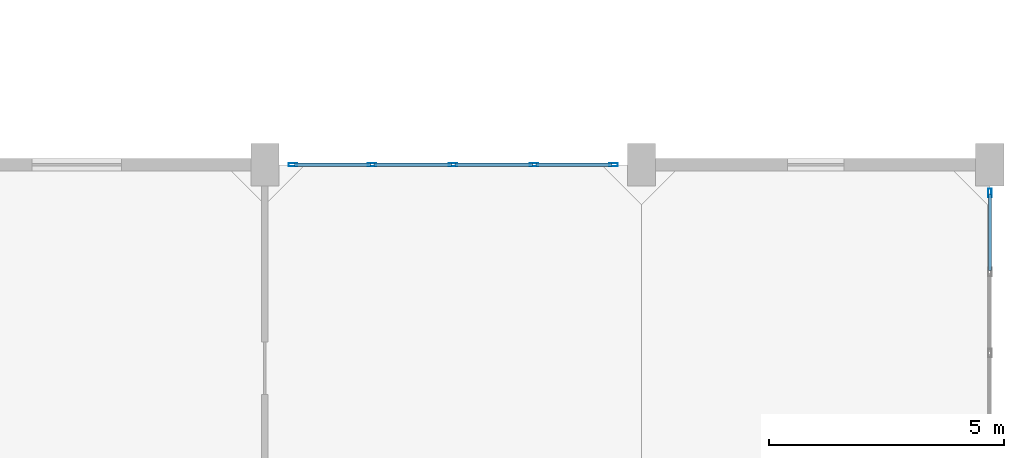
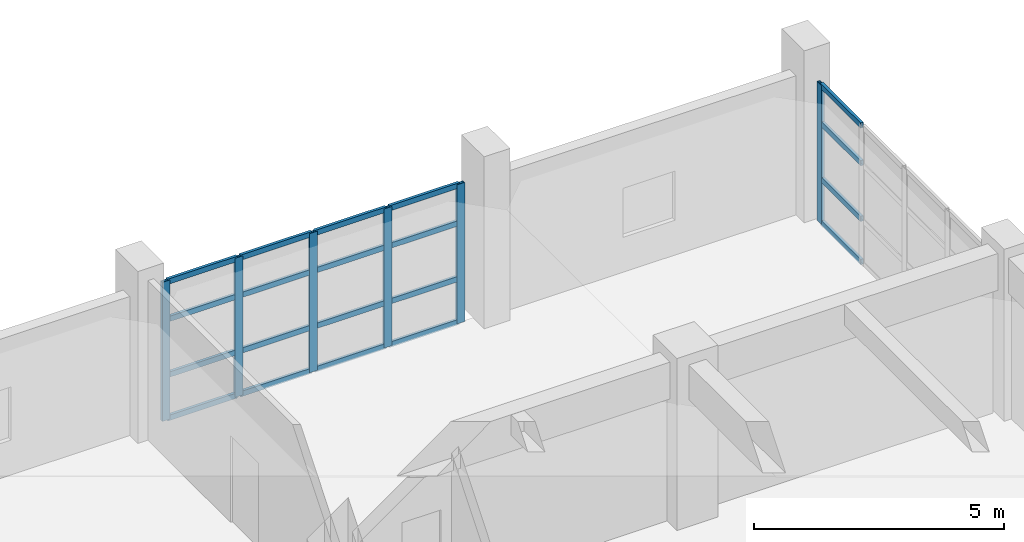
# One storey, part 20 of 35: 26 members, 2 elements without a shape of their own.
"""IFC4 building model written with IfcOpenShell, lengths in metres."""

import ifcopenshell
import ifcopenshell.guid

model = None  # the IFC model being written
_history = None  # IfcOwnerHistory: only IFC2X3 demands one
_inside = {}  # id of a spatial element -> (the spatial element, [elements in it])
_under = {}  # id of a project, library or spatial element -> (it, [spatial elements below it])
_declared = {}  # id of a project -> (the project, [libraries it declares])
_typed = {}  # id of a type object -> (the type object, [elements of that type])
_made_of = {}  # id of a material, layer set ... -> (it, [elements and type objects made of it])


def new_model(schema):
    """Start an empty IFC model of exactly this schema.

    Asked for "IFC4X3", IfcOpenShell would pick the latest addendum, in which some entities
    have other attributes; the version numbers below select the first issue.
    IFC2X3 requires an IfcOwnerHistory on every rooted entity: one is made here for all.
    """
    global model, _history
    if schema == "IFC4X3":
        model = ifcopenshell.file(schema_version=(4, 3, 0, 0))
    else:
        model = ifcopenshell.file(schema=schema)
    _inside.clear()
    _under.clear()
    _declared.clear()
    _typed.clear()
    _made_of.clear()
    _history = None
    if model.schema == "IFC2X3":
        org = make("IfcOrganization", Name="unknown")
        user = make(
            "IfcPersonAndOrganization",
            ThePerson=make("IfcPerson", FamilyName="unknown"),
            TheOrganization=org,
        )
        app = make(
            "IfcApplication",
            ApplicationDeveloper=org,
            Version="unknown",
            ApplicationFullName="unknown",
            ApplicationIdentifier="unknown",
        )
        _history = make(
            "IfcOwnerHistory",
            OwningUser=user,
            OwningApplication=app,
            ChangeAction="ADDED",
            CreationDate=0,
        )
    return model


def make(cls, **values):
    """One entity of the class cls with the attributes given. An attribute that is None is left unset."""
    return model.create_entity(
        cls, **{name: value for name, value in values.items() if value is not None}
    )


def rooted(cls, **values):
    """An entity with a GlobalId (a new one), such as an element, a storey or a relation."""
    return make(cls, GlobalId=ifcopenshell.guid.new(), OwnerHistory=_history, **values)


def si_unit(unit_type, name, prefix=None):
    """IfcSIUnit, for example si_unit("LENGTHUNIT", "METRE", prefix="MILLI")."""
    return make("IfcSIUnit", UnitType=unit_type, Prefix=prefix, Name=name)


def assignment(units):
    """IfcUnitAssignment: the units of a project."""
    return None if units is None else make("IfcUnitAssignment", Units=units)


def point(xyz):
    """IfcCartesianPoint."""
    return None if xyz is None else make("IfcCartesianPoint", Coordinates=xyz)


def direction(xyz):
    """IfcDirection."""
    return None if xyz is None else make("IfcDirection", DirectionRatios=xyz)


def frame(location, z_axis=None, x_axis=None):
    """IfcAxis2Placement3D, a coordinate frame: its origin and axes. An axis left out is left unset."""
    return make(
        "IfcAxis2Placement3D",
        Location=point(location),
        Axis=direction(z_axis),
        RefDirection=direction(x_axis),
    )


def frame_2d(location, x_axis=None):
    """IfcAxis2Placement2D, a coordinate frame in the plane: its origin and x axis."""
    return make(
        "IfcAxis2Placement2D", Location=point(location), RefDirection=direction(x_axis)
    )


def origin():
    """The frame at (0, 0, 0) with its axes left unset."""
    return frame((0.0, 0.0, 0.0))


def origin_2d():
    """The frame at (0, 0) in the plane with its x axis left unset."""
    return frame_2d((0.0, 0.0))


def place(relative_to, where):
    """IfcLocalPlacement: puts the frame where relative to a parent placement (None: the world)."""
    return make(
        "IfcLocalPlacement", PlacementRelTo=relative_to, RelativePlacement=where
    )


def context(
    kind, dimensions, precision=None, world=None, true_north=None, identifier=None
):
    """IfcGeometricRepresentationContext, for example the 3D "Model" context."""
    return make(
        "IfcGeometricRepresentationContext",
        ContextIdentifier=identifier,
        ContextType=kind,
        CoordinateSpaceDimension=dimensions,
        Precision=precision,
        WorldCoordinateSystem=world,
        TrueNorth=true_north,
    )


def subcontext(parent, identifier, kind, view, scale=None):
    """IfcGeometricRepresentationSubContext, for example "Body" below "Model"."""
    return make(
        "IfcGeometricRepresentationSubContext",
        ContextIdentifier=identifier,
        ContextType=kind,
        ParentContext=parent,
        TargetScale=scale,
        TargetView=view,
    )


def project(units=None, contexts=None):
    """IfcProject with its units and contexts."""
    return rooted(
        "IfcProject",
        Name="project",
        RepresentationContexts=contexts,
        UnitsInContext=assignment(units),
    )


def spatial(cls, under=None, at=None, **own):
    """A site, building, storey or space (cls), placed at a placement, below another one or the project."""
    s = rooted(cls, ObjectPlacement=at, **own)
    if under is not None:
        _under.setdefault(under.id(), (under, []))[1].append(s)
    return s


def profile(cls, at=None, kind="AREA", **sizes):
    """A parametric profile (cls). Its sizes go by their IFC names, for example OverallWidth=200.0."""
    return make(cls, ProfileType=kind, Position=at, **sizes)


def hollow_rectangle(**sizes):
    """IfcRectangleHollowProfileDef."""
    return profile("IfcRectangleHollowProfileDef", **sizes)


def extrude(swept, where, along, depth):
    """IfcExtrudedAreaSolid: the profile swept, set in the frame where, extruded along a direction by depth."""
    return make(
        "IfcExtrudedAreaSolid",
        SweptArea=swept,
        Position=where,
        ExtrudedDirection=direction(along),
        Depth=depth,
    )


def shape(context_of_items, identifier, shape_type, items):
    """IfcShapeRepresentation: the items that make up one representation, for example the "Body"."""
    return make(
        "IfcShapeRepresentation",
        ContextOfItems=context_of_items,
        RepresentationIdentifier=identifier,
        RepresentationType=shape_type,
        Items=items,
    )


def material(Name=None, Category=None):
    """IfcMaterial."""
    return make("IfcMaterial", Name=Name, Category=Category)


def layer(
    of_material, thickness, ventilated=None, Name=None, Category=None, Priority=None
):
    """IfcMaterialLayer: one layer of a wall or slab, of a material (None: an air gap)."""
    return make(
        "IfcMaterialLayer",
        Material=of_material,
        LayerThickness=thickness,
        IsVentilated=ventilated,
        Name=Name,
        Category=Category,
        Priority=Priority,
    )


def layer_set(layers, Name=None):
    """IfcMaterialLayerSet."""
    return make("IfcMaterialLayerSet", MaterialLayers=layers, LayerSetName=Name)


def material_profile(
    of_material, cross_section, Name=None, Category=None, Priority=None
):
    """IfcMaterialProfile: a cross section and its material."""
    return make(
        "IfcMaterialProfile",
        Name=Name,
        Material=of_material,
        Profile=cross_section,
        Priority=Priority,
        Category=Category,
    )


def profile_set(profiles, Name=None, composite=None):
    """IfcMaterialProfileSet."""
    return make(
        "IfcMaterialProfileSet",
        Name=Name,
        MaterialProfiles=profiles,
        CompositeProfile=composite,
    )


def made_of(thing, what):
    """Note that an element or type object is made of a material, layer set ...; save() writes the relation."""
    if what is not None:
        _made_of.setdefault(what.id(), (what, []))[1].append(thing)
    return thing


def type_object(cls, material=None, **own):
    """A type object (cls), such as IfcWallType, which elements share."""
    return made_of(rooted(cls, **own), material)


def element(
    cls,
    number,
    at=None,
    inside=None,
    cuts=None,
    type_object=None,
    material=None,
    context=None,
    identifier="Body",
    shape_type=None,
    held_by="IfcProductDefinitionShape",
    body=None,
    shapes=None,
    **own,
):
    """One element of the class cls, such as IfcWall. Its Tag is "e" and its number.

    at: its placement. inside: the storey or other place that contains it. cuts: it is an
    opening in that element (IfcRelVoidsElement). A single representation is given by context,
    identifier, shape_type and body (its items); several are given by shapes. held_by: the class
    of the entity that holds the representations. save() writes the other relations.
    """
    e = rooted(cls, Tag="e%d" % number, ObjectPlacement=at, **own)
    if body is not None:
        shapes = [shape(context, identifier, shape_type, body)]
    if shapes is not None:
        e.Representation = make(held_by, Representations=shapes)
    if inside is not None:
        _inside.setdefault(inside.id(), (inside, []))[1].append(e)
    if cuts is not None:
        rooted(
            "IfcRelVoidsElement", RelatingBuildingElement=cuts, RelatedOpeningElement=e
        )
    if type_object is not None:
        _typed.setdefault(type_object.id(), (type_object, []))[1].append(e)
    return made_of(e, material)


def aggregate(whole, parts):
    """IfcRelAggregates: a whole, such as a stair, and the parts it consists of."""
    return rooted("IfcRelAggregates", RelatingObject=whole, RelatedObjects=parts)


def save(model, path):
    """Write the relations noted so far, then the file.

    IfcRelAggregates (storeys below a building ...), IfcRelContainedInSpatialStructure (elements
    in a storey), IfcRelDefinesByType, IfcRelAssociatesMaterial and IfcRelDeclares: one each for
    every whole, place, type object, material and project.
    """
    for whole, parts in _under.values():
        aggregate(whole, parts)
    for where, things in _inside.values():
        rooted(
            "IfcRelContainedInSpatialStructure",
            RelatedElements=things,
            RelatingStructure=where,
        )
    for kind, things in _typed.values():
        rooted("IfcRelDefinesByType", RelatedObjects=things, RelatingType=kind)
    for what, things in _made_of.values():
        rooted("IfcRelAssociatesMaterial", RelatedObjects=things, RelatingMaterial=what)
    for by, libraries in _declared.values():
        rooted("IfcRelDeclares", RelatingContext=by, RelatedDefinitions=libraries)
    model.write(path)


model = new_model("IFC4")

# Units and contexts
model_context = context("Model", 3, precision=1e-05, world=origin(), true_north=direction((0.0, 1.0)))
body_context = subcontext(model_context, "Body", "Model", "MODEL_VIEW")
ifc_project = project(units=[si_unit("LENGTHUNIT", "METRE"), si_unit("AREAUNIT", "SQUARE_METRE"), si_unit("VOLUMEUNIT", "CUBIC_METRE"), si_unit("PLANEANGLEUNIT", "RADIAN"), si_unit("MASSUNIT", "GRAM", prefix="KILO")], contexts=[model_context])

# Site, building, storey
site_placement = place(None, origin())
site = spatial("IfcSite", under=ifc_project, at=site_placement, CompositionType="ELEMENT")
building_placement = place(site_placement, origin())
building = spatial("IfcBuilding", under=site, at=building_placement, Name="Canggui Botanical Conservatory", CompositionType="ELEMENT")
storey_placement = place(building_placement, frame((0.0, 0.0, 15.0)))
storey = spatial("IfcBuildingStorey", under=building, at=storey_placement, Name="L04", CompositionType="ELEMENT", Elevation=15.0)

# Curtain wall, members
ifc_material = material(Name="Thermally Broken Aluminium", Category="aluminium")
ifc_layer = layer(ifc_material, 0.179931640625, Name="Thermally Broken Aluminium", Category="aluminium")
ifc_layer_set = layer_set([ifc_layer], Name="Thermally Broken Aluminium")
curtain_wall_type = type_object("IfcCurtainWallType", Name="CW-UNIT-A", PredefinedType="USERDEFINED", material=ifc_layer_set)
curtain_wall_1_placement = place(storey_placement, origin())
curtain_wall_1 = element("IfcCurtainWall", 1, at=curtain_wall_1_placement, inside=storey, type_object=curtain_wall_type, Name="Facade Curtain Wall CW-TWR-L04-16", ObjectType="UNITISED CURTAIN WALL", PredefinedType="USERDEFINED")
ifc_material_profile_1 = material_profile(ifc_material, hollow_rectangle(XDim=0.070068359375, YDim=0.179931640625, WallThickness=0.00390625, at=origin_2d()), Name="CWM 70x180x4")
ifc_profile_set_1 = profile_set([ifc_material_profile_1], Name="Thermally Broken Aluminium")
member_type_1 = type_object("IfcMemberType", Name="CWM-01", PredefinedType="MULLION", material=ifc_profile_set_1)
member_1_placement = place(storey_placement, frame((162.594970703125, 82.0, 0.0), z_axis=(0.0, 0.0, 1.0), x_axis=(0.0, 1.0, 0.0)))
member_1 = element("IfcMember", 2, at=member_1_placement, type_object=member_type_1, Name="CW-01 mullion 1", PredefinedType="MULLION", context=body_context, shape_type="SweptSolid", body=[
    extrude(hollow_rectangle(XDim=0.070068359375, YDim=0.179931640625, WallThickness=0.00390625, at=origin_2d()), origin(), (0.0, 0.0, 1.0), 3.39990234375),
])
member_2_placement = place(storey_placement, frame((164.280029296875, 82.0, 0.0), z_axis=(0.0, 0.0, 1.0), x_axis=(0.0, 1.0, 0.0)))
member_2 = element("IfcMember", 3, at=member_2_placement, type_object=member_type_1, Name="CW-01 mullion 2", PredefinedType="MULLION", context=body_context, shape_type="SweptSolid", body=[
    extrude(hollow_rectangle(XDim=0.070068359375, YDim=0.179931640625, WallThickness=0.00390625, at=origin_2d()), origin(), (0.0, 0.0, 1.0), 3.39990234375),
])
member_3_placement = place(storey_placement, frame((166.0, 82.0, 0.0), z_axis=(0.0, 0.0, 1.0), x_axis=(0.0, 1.0, 0.0)))
member_3 = element("IfcMember", 4, at=member_3_placement, type_object=member_type_1, Name="CW-01 mullion 3", PredefinedType="MULLION", context=body_context, shape_type="SweptSolid", body=[
    extrude(hollow_rectangle(XDim=0.070068359375, YDim=0.179931640625, WallThickness=0.00390625, at=origin_2d()), origin(), (0.0, 0.0, 1.0), 3.39990234375),
])
member_4_placement = place(storey_placement, frame((167.719970703125, 82.0, 0.0), z_axis=(0.0, 0.0, 1.0), x_axis=(0.0, 1.0, 0.0)))
member_4 = element("IfcMember", 5, at=member_4_placement, type_object=member_type_1, Name="CW-01 mullion 4", PredefinedType="MULLION", context=body_context, shape_type="SweptSolid", body=[
    extrude(hollow_rectangle(XDim=0.070068359375, YDim=0.179931640625, WallThickness=0.00390625, at=origin_2d()), origin(), (0.0, 0.0, 1.0), 3.39990234375),
])
member_5_placement = place(storey_placement, frame((169.405029296875, 82.0, 0.0), z_axis=(0.0, 0.0, 1.0), x_axis=(0.0, 1.0, 0.0)))
member_5 = element("IfcMember", 6, at=member_5_placement, type_object=member_type_1, Name="CW-01 mullion 5", PredefinedType="MULLION", context=body_context, shape_type="SweptSolid", body=[
    extrude(hollow_rectangle(XDim=0.070068359375, YDim=0.179931640625, WallThickness=0.00390625, at=origin_2d()), origin(), (0.0, 0.0, 1.0), 3.39990234375),
])

# Curtain wall, member
curtain_wall_2_placement = place(storey_placement, origin())
curtain_wall_2 = element("IfcCurtainWall", 7, at=curtain_wall_2_placement, inside=storey, type_object=curtain_wall_type, Name="Facade Curtain Wall CW-TWR-L04-18", ObjectType="UNITISED CURTAIN WALL", PredefinedType="USERDEFINED")
member_6_placement = place(storey_placement, frame((177.39990234375, 81.405029296875, 0.0), z_axis=(0.0, 0.0, 1.0), x_axis=(1.0, 0.0, 0.0)))
member_6 = element("IfcMember", 8, at=member_6_placement, type_object=member_type_1, Name="CW-01 mullion 1", PredefinedType="MULLION", context=body_context, shape_type="SweptSolid", body=[
    extrude(hollow_rectangle(XDim=0.070068359375, YDim=0.179931640625, WallThickness=0.00390625, at=origin_2d()), origin(), (0.0, 0.0, 1.0), 3.39990234375),
])

# Member
ifc_material_profile_2 = material_profile(ifc_material, hollow_rectangle(XDim=0.06494140625, YDim=0.1298828125, WallThickness=0.00341796875, at=origin_2d()), Name="CWT 65x130x3.5")
ifc_profile_set_2 = profile_set([ifc_material_profile_2], Name="Thermally Broken Aluminium")
member_type_2 = type_object("IfcMemberType", Name="CWT-01", PredefinedType="USERDEFINED", material=ifc_profile_set_2)
member_7_placement = place(storey_placement, frame((162.6298828125, 82.0, 0.032470703125), z_axis=(1.0, 0.0, 0.0), x_axis=(0.0, 1.0, 0.0)))
member_7 = element("IfcMember", 9, at=member_7_placement, type_object=member_type_2, Name="CW-01 transom 1.1", ObjectType="TRANSOM", PredefinedType="USERDEFINED", context=body_context, shape_type="SweptSolid", body=[
    extrude(hollow_rectangle(XDim=0.06494140625, YDim=0.1298828125, WallThickness=0.00341796875, at=origin_2d()), origin(), (0.0, 0.0, 1.0), 1.615234375),
])

member_8_placement = place(storey_placement, frame((162.6298828125, 82.0, 1.087890625), z_axis=(1.0, 0.0, 0.0), x_axis=(0.0, 1.0, 0.0)))
member_8 = element("IfcMember", 10, at=member_8_placement, type_object=member_type_2, Name="CW-01 transom 1.2", ObjectType="TRANSOM", PredefinedType="USERDEFINED", context=body_context, shape_type="SweptSolid", body=[
    extrude(hollow_rectangle(XDim=0.06494140625, YDim=0.1298828125, WallThickness=0.00341796875, at=origin_2d()), origin(), (0.0, 0.0, 1.0), 1.615234375),
])

member_9_placement = place(storey_placement, frame((162.6298828125, 82.0, 2.447998046875), z_axis=(1.0, 0.0, 0.0), x_axis=(0.0, 1.0, 0.0)))
member_9 = element("IfcMember", 11, at=member_9_placement, type_object=member_type_2, Name="CW-01 transom 1.3", ObjectType="TRANSOM", PredefinedType="USERDEFINED", context=body_context, shape_type="SweptSolid", body=[
    extrude(hollow_rectangle(XDim=0.06494140625, YDim=0.1298828125, WallThickness=0.00341796875, at=origin_2d()), origin(), (0.0, 0.0, 1.0), 1.615234375),
])

member_10_placement = place(storey_placement, frame((162.6298828125, 82.0, 3.367431640625), z_axis=(1.0, 0.0, 0.0), x_axis=(0.0, 1.0, 0.0)))
member_10 = element("IfcMember", 12, at=member_10_placement, type_object=member_type_2, Name="CW-01 transom 1.4", ObjectType="TRANSOM", PredefinedType="USERDEFINED", context=body_context, shape_type="SweptSolid", body=[
    extrude(hollow_rectangle(XDim=0.06494140625, YDim=0.1298828125, WallThickness=0.00341796875, at=origin_2d()), origin(), (0.0, 0.0, 1.0), 1.615234375),
])

member_11_placement = place(storey_placement, frame((164.31494140625, 82.0, 0.032470703125), z_axis=(1.0, 0.0, 0.0), x_axis=(0.0, 1.0, 0.0)))
member_11 = element("IfcMember", 13, at=member_11_placement, type_object=member_type_2, Name="CW-01 transom 2.1", ObjectType="TRANSOM", PredefinedType="USERDEFINED", context=body_context, shape_type="SweptSolid", body=[
    extrude(hollow_rectangle(XDim=0.06494140625, YDim=0.1298828125, WallThickness=0.00341796875, at=origin_2d()), origin(), (0.0, 0.0, 1.0), 1.650146484375),
])

member_12_placement = place(storey_placement, frame((164.31494140625, 82.0, 1.087890625), z_axis=(1.0, 0.0, 0.0), x_axis=(0.0, 1.0, 0.0)))
member_12 = element("IfcMember", 14, at=member_12_placement, type_object=member_type_2, Name="CW-01 transom 2.2", ObjectType="TRANSOM", PredefinedType="USERDEFINED", context=body_context, shape_type="SweptSolid", body=[
    extrude(hollow_rectangle(XDim=0.06494140625, YDim=0.1298828125, WallThickness=0.00341796875, at=origin_2d()), origin(), (0.0, 0.0, 1.0), 1.650146484375),
])

member_13_placement = place(storey_placement, frame((164.31494140625, 82.0, 2.447998046875), z_axis=(1.0, 0.0, 0.0), x_axis=(0.0, 1.0, 0.0)))
member_13 = element("IfcMember", 15, at=member_13_placement, type_object=member_type_2, Name="CW-01 transom 2.3", ObjectType="TRANSOM", PredefinedType="USERDEFINED", context=body_context, shape_type="SweptSolid", body=[
    extrude(hollow_rectangle(XDim=0.06494140625, YDim=0.1298828125, WallThickness=0.00341796875, at=origin_2d()), origin(), (0.0, 0.0, 1.0), 1.650146484375),
])

member_14_placement = place(storey_placement, frame((164.31494140625, 82.0, 3.367431640625), z_axis=(1.0, 0.0, 0.0), x_axis=(0.0, 1.0, 0.0)))
member_14 = element("IfcMember", 16, at=member_14_placement, type_object=member_type_2, Name="CW-01 transom 2.4", ObjectType="TRANSOM", PredefinedType="USERDEFINED", context=body_context, shape_type="SweptSolid", body=[
    extrude(hollow_rectangle(XDim=0.06494140625, YDim=0.1298828125, WallThickness=0.00341796875, at=origin_2d()), origin(), (0.0, 0.0, 1.0), 1.650146484375),
])

member_15_placement = place(storey_placement, frame((166.034912109375, 82.0, 0.032470703125), z_axis=(1.0, 0.0, 0.0), x_axis=(0.0, 1.0, 0.0)))
member_15 = element("IfcMember", 17, at=member_15_placement, type_object=member_type_2, Name="CW-01 transom 3.1", ObjectType="TRANSOM", PredefinedType="USERDEFINED", context=body_context, shape_type="SweptSolid", body=[
    extrude(hollow_rectangle(XDim=0.06494140625, YDim=0.1298828125, WallThickness=0.00341796875, at=origin_2d()), origin(), (0.0, 0.0, 1.0), 1.650146484375),
])

member_16_placement = place(storey_placement, frame((166.034912109375, 82.0, 1.087890625), z_axis=(1.0, 0.0, 0.0), x_axis=(0.0, 1.0, 0.0)))
member_16 = element("IfcMember", 18, at=member_16_placement, type_object=member_type_2, Name="CW-01 transom 3.2", ObjectType="TRANSOM", PredefinedType="USERDEFINED", context=body_context, shape_type="SweptSolid", body=[
    extrude(hollow_rectangle(XDim=0.06494140625, YDim=0.1298828125, WallThickness=0.00341796875, at=origin_2d()), origin(), (0.0, 0.0, 1.0), 1.650146484375),
])

member_17_placement = place(storey_placement, frame((166.034912109375, 82.0, 2.447998046875), z_axis=(1.0, 0.0, 0.0), x_axis=(0.0, 1.0, 0.0)))
member_17 = element("IfcMember", 19, at=member_17_placement, type_object=member_type_2, Name="CW-01 transom 3.3", ObjectType="TRANSOM", PredefinedType="USERDEFINED", context=body_context, shape_type="SweptSolid", body=[
    extrude(hollow_rectangle(XDim=0.06494140625, YDim=0.1298828125, WallThickness=0.00341796875, at=origin_2d()), origin(), (0.0, 0.0, 1.0), 1.650146484375),
])

member_18_placement = place(storey_placement, frame((166.034912109375, 82.0, 3.367431640625), z_axis=(1.0, 0.0, 0.0), x_axis=(0.0, 1.0, 0.0)))
member_18 = element("IfcMember", 20, at=member_18_placement, type_object=member_type_2, Name="CW-01 transom 3.4", ObjectType="TRANSOM", PredefinedType="USERDEFINED", context=body_context, shape_type="SweptSolid", body=[
    extrude(hollow_rectangle(XDim=0.06494140625, YDim=0.1298828125, WallThickness=0.00341796875, at=origin_2d()), origin(), (0.0, 0.0, 1.0), 1.650146484375),
])

member_19_placement = place(storey_placement, frame((167.7548828125, 82.0, 0.032470703125), z_axis=(1.0, 0.0, 0.0), x_axis=(0.0, 1.0, 0.0)))
member_19 = element("IfcMember", 21, at=member_19_placement, type_object=member_type_2, Name="CW-01 transom 4.1", ObjectType="TRANSOM", PredefinedType="USERDEFINED", context=body_context, shape_type="SweptSolid", body=[
    extrude(hollow_rectangle(XDim=0.06494140625, YDim=0.1298828125, WallThickness=0.00341796875, at=origin_2d()), origin(), (0.0, 0.0, 1.0), 1.615234375),
])

member_20_placement = place(storey_placement, frame((167.7548828125, 82.0, 1.087890625), z_axis=(1.0, 0.0, 0.0), x_axis=(0.0, 1.0, 0.0)))
member_20 = element("IfcMember", 22, at=member_20_placement, type_object=member_type_2, Name="CW-01 transom 4.2", ObjectType="TRANSOM", PredefinedType="USERDEFINED", context=body_context, shape_type="SweptSolid", body=[
    extrude(hollow_rectangle(XDim=0.06494140625, YDim=0.1298828125, WallThickness=0.00341796875, at=origin_2d()), origin(), (0.0, 0.0, 1.0), 1.615234375),
])

member_21_placement = place(storey_placement, frame((167.7548828125, 82.0, 2.447998046875), z_axis=(1.0, 0.0, 0.0), x_axis=(0.0, 1.0, 0.0)))
member_21 = element("IfcMember", 23, at=member_21_placement, type_object=member_type_2, Name="CW-01 transom 4.3", ObjectType="TRANSOM", PredefinedType="USERDEFINED", context=body_context, shape_type="SweptSolid", body=[
    extrude(hollow_rectangle(XDim=0.06494140625, YDim=0.1298828125, WallThickness=0.00341796875, at=origin_2d()), origin(), (0.0, 0.0, 1.0), 1.615234375),
])

member_22_placement = place(storey_placement, frame((167.7548828125, 82.0, 3.367431640625), z_axis=(1.0, 0.0, 0.0), x_axis=(0.0, 1.0, 0.0)))
member_22 = element("IfcMember", 24, at=member_22_placement, type_object=member_type_2, Name="CW-01 transom 4.4", ObjectType="TRANSOM", PredefinedType="USERDEFINED", context=body_context, shape_type="SweptSolid", body=[
    extrude(hollow_rectangle(XDim=0.06494140625, YDim=0.1298828125, WallThickness=0.00341796875, at=origin_2d()), origin(), (0.0, 0.0, 1.0), 1.615234375),
])

aggregate(curtain_wall_1, [member_1, member_2, member_3, member_4, member_5, member_7, member_8, member_9, member_10, member_11, member_12, member_13, member_14, member_15, member_16, member_17, member_18, member_19, member_20, member_21, member_22])

member_23_placement = place(storey_placement, frame((177.39990234375, 81.3701171875, 0.032470703125), z_axis=(0.0, -1.0, 0.0), x_axis=(1.0, 0.0, 0.0)))
member_23 = element("IfcMember", 25, at=member_23_placement, type_object=member_type_2, Name="CW-01 transom 1.1", ObjectType="TRANSOM", PredefinedType="USERDEFINED", context=body_context, shape_type="SweptSolid", body=[
    extrude(hollow_rectangle(XDim=0.06494140625, YDim=0.1298828125, WallThickness=0.00341796875, at=origin_2d()), origin(), (0.0, 0.0, 1.0), 1.615234375),
])

member_24_placement = place(storey_placement, frame((177.39990234375, 81.3701171875, 1.087890625), z_axis=(0.0, -1.0, 0.0), x_axis=(1.0, 0.0, 0.0)))
member_24 = element("IfcMember", 26, at=member_24_placement, type_object=member_type_2, Name="CW-01 transom 1.2", ObjectType="TRANSOM", PredefinedType="USERDEFINED", context=body_context, shape_type="SweptSolid", body=[
    extrude(hollow_rectangle(XDim=0.06494140625, YDim=0.1298828125, WallThickness=0.00341796875, at=origin_2d()), origin(), (0.0, 0.0, 1.0), 1.615234375),
])

member_25_placement = place(storey_placement, frame((177.39990234375, 81.3701171875, 2.447998046875), z_axis=(0.0, -1.0, 0.0), x_axis=(1.0, 0.0, 0.0)))
member_25 = element("IfcMember", 27, at=member_25_placement, type_object=member_type_2, Name="CW-01 transom 1.3", ObjectType="TRANSOM", PredefinedType="USERDEFINED", context=body_context, shape_type="SweptSolid", body=[
    extrude(hollow_rectangle(XDim=0.06494140625, YDim=0.1298828125, WallThickness=0.00341796875, at=origin_2d()), origin(), (0.0, 0.0, 1.0), 1.615234375),
])

member_26_placement = place(storey_placement, frame((177.39990234375, 81.3701171875, 3.367431640625), z_axis=(0.0, -1.0, 0.0), x_axis=(1.0, 0.0, 0.0)))
member_26 = element("IfcMember", 28, at=member_26_placement, type_object=member_type_2, Name="CW-01 transom 1.4", ObjectType="TRANSOM", PredefinedType="USERDEFINED", context=body_context, shape_type="SweptSolid", body=[
    extrude(hollow_rectangle(XDim=0.06494140625, YDim=0.1298828125, WallThickness=0.00341796875, at=origin_2d()), origin(), (0.0, 0.0, 1.0), 1.615234375),
])

aggregate(curtain_wall_2, [member_6, member_23, member_24, member_25, member_26])

save(model, "model.ifc")
